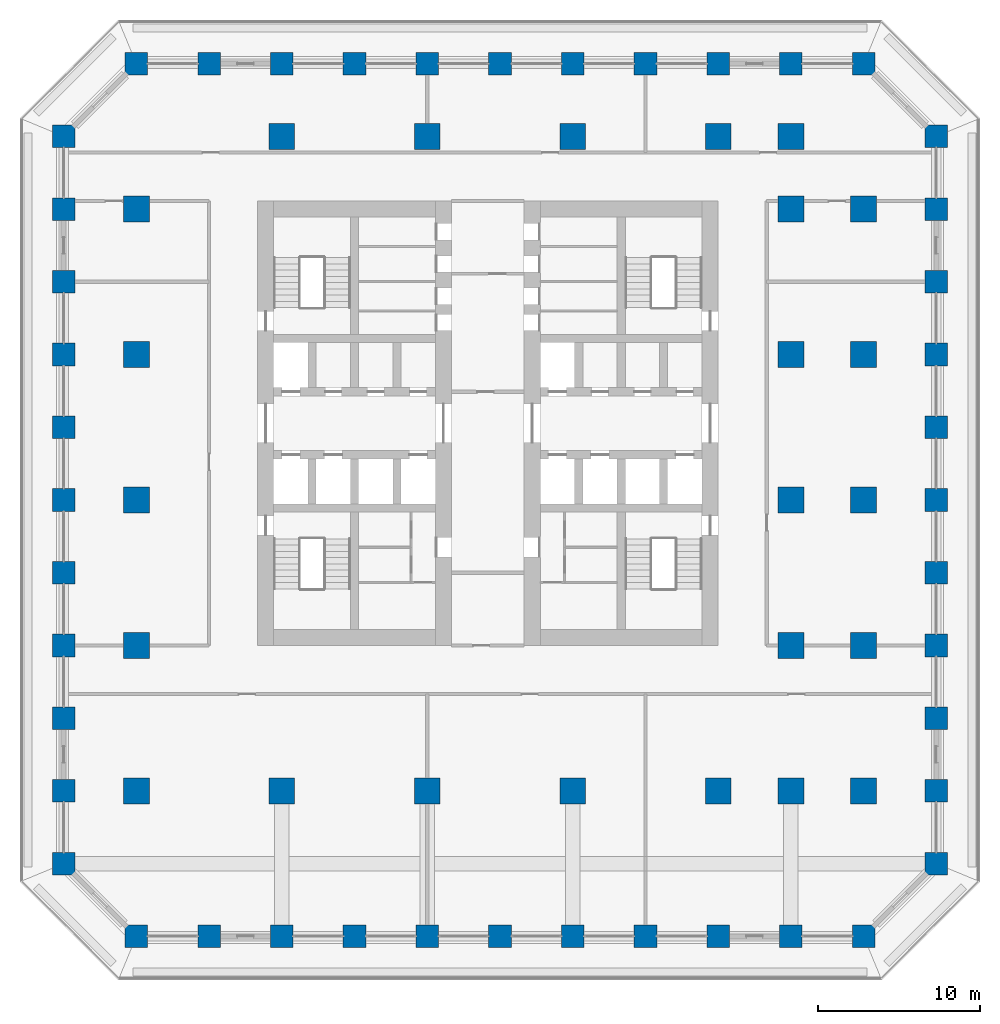
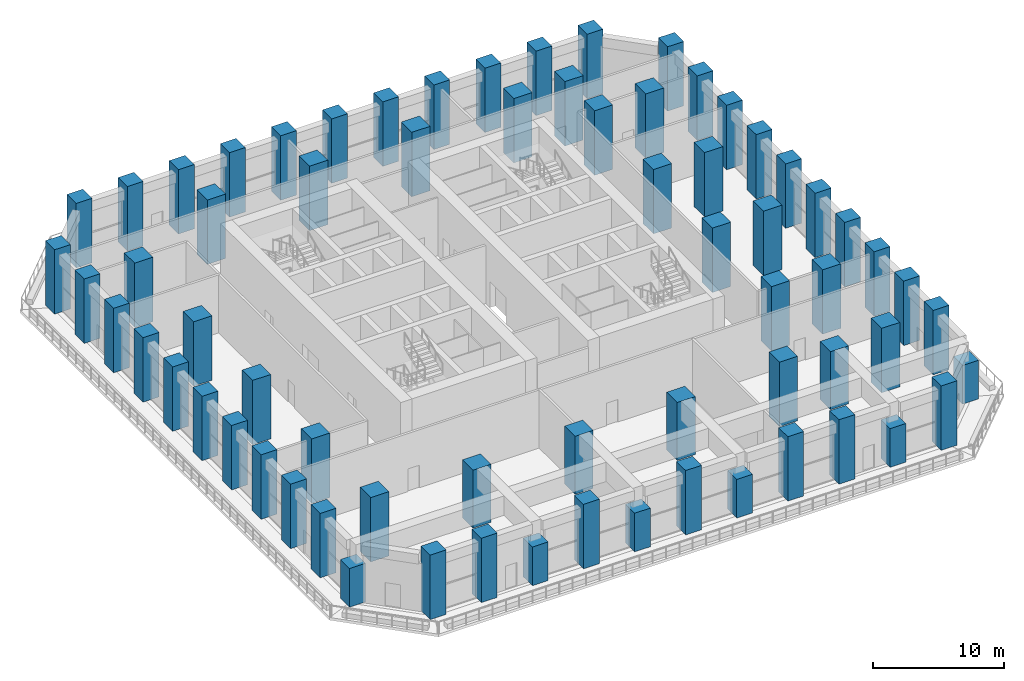
# One storey, part 1 of 19: 68 columns.
"""IFC4 building model written with IfcOpenShell, lengths in metres."""

from ifc_helpers import new_model, si_unit, direction, frame, origin, origin_2d, place, context, subcontext, project, spatial, rectangle, extrude, material, material_profile, profile_set, type_object, element, save


model = new_model("IFC4")

# Units and contexts
model_context = context("Model", 3, precision=1e-05, world=origin(), true_north=direction((0.0, 1.0)))
body_context = subcontext(model_context, "Body", "Model", "MODEL_VIEW")
ifc_project = project(units=[si_unit("LENGTHUNIT", "METRE"), si_unit("AREAUNIT", "SQUARE_METRE"), si_unit("VOLUMEUNIT", "CUBIC_METRE"), si_unit("PLANEANGLEUNIT", "RADIAN"), si_unit("MASSUNIT", "GRAM", prefix="KILO")], contexts=[model_context])

# Site, building, storey
site_placement = place(None, origin())
site = spatial("IfcSite", under=ifc_project, at=site_placement, CompositionType="ELEMENT")
building_placement = place(site_placement, origin())
building = spatial("IfcBuilding", under=site, at=building_placement, Name="Corbel Stack Research Tower", CompositionType="ELEMENT")
storey_placement = place(building_placement, frame((0.0, 0.0, 70.60009765625)))
storey = spatial("IfcBuildingStorey", under=building, at=storey_placement, Name="L16", CompositionType="ELEMENT", Elevation=70.60009765625)

# Columns
ifc_material_1 = material(Name="Concrete C70/85", Category="concrete")
ifc_material_profile_1 = material_profile(ifc_material_1, rectangle(XDim=1.39990234375, YDim=1.39990234375, at=origin_2d()), Name="RC 1400 x 1400")
ifc_profile_set_1 = profile_set([ifc_material_profile_1], Name="Concrete C70/85")
column_type_1 = type_object("IfcColumnType", Name="C-1400-70", PredefinedType="COLUMN", material=ifc_profile_set_1)
for number, where, z_axis, x_axis, name in (
    (1, (-22.5, -18.0, 0.0), (0.0, 0.0, 1.0), (1.0, 0.0, 0.0), "Column 3/D L16"),
    (2, (-22.5, -13.5, 0.0), (0.0, 0.0, 1.0), (1.0, 0.0, 0.0), "Column 3/E L16"),
    (3, (-22.5, -9.0, 0.0), (0.0, 0.0, 1.0), (1.0, 0.0, 0.0), "Column 3/F L16"),
    (4, (-22.5, -4.5, 0.0), (0.0, 0.0, 1.0), (1.0, 0.0, 0.0), "Column 3/G L16"),
    (5, (-22.5, 0.0, 0.0), (0.0, 0.0, 1.0), (1.0, 0.0, 0.0), "Column 3/H L16"),
    (6, (-22.5, 4.5, 0.0), (0.0, 0.0, 1.0), (1.0, 0.0, 0.0), "Column 3/J L16"),
    (7, (-22.5, 9.0, 0.0), (0.0, 0.0, 1.0), (1.0, 0.0, 0.0), "Column 3/K L16"),
    (8, (-22.5, 13.5, 0.0), (0.0, 0.0, 1.0), (1.0, 0.0, 0.0), "Column 3/L L16"),
    (9, (-22.5, 18.0, 0.0), (0.0, 0.0, 1.0), (1.0, 0.0, 0.0), "Column 3/M L16"),
    (10, (-22.5, 22.5, 0.0), (0.0, 0.0, 1.0), (1.0, 0.0, 0.0), "Column 3/N L16"),
    (11, (-18.0, -27.0, 0.0), (0.0, 0.0, 1.0), (1.0, 0.0, 0.0), "Column 4/B L16"),
    (12, (-18.0, 27.0, 0.0), (0.0, 0.0, 1.0), (1.0, 0.0, 0.0), "Column 4/P L16"),
    (13, (-13.5, -27.0, 0.0), (0.0, 0.0, 1.0), (1.0, 0.0, 0.0), "Column 5/B L16"),
    (14, (-13.5, 27.0, 0.0), (0.0, 0.0, 1.0), (1.0, 0.0, 0.0), "Column 5/P L16"),
    (15, (-9.0, 27.0, 0.0), (0.0, 0.0, 1.0), (1.0, 0.0, 0.0), "Column 6/P L16"),
    (16, (-4.5, -27.0, 0.0), (0.0, 0.0, 1.0), (1.0, 0.0, 0.0), "Column 7/B L16"),
    (17, (-4.5, 27.0, 0.0), (0.0, 0.0, 1.0), (1.0, 0.0, 0.0), "Column 7/P L16"),
    (18, (0.0, 27.0, 0.0), (0.0, 0.0, 1.0), (1.0, 0.0, 0.0), "Column 8/P L16"),
    (19, (4.5, -27.0, 0.0), (0.0, 0.0, 1.0), (1.0, 0.0, 0.0), "Column 9/B L16"),
    (20, (4.5, 27.0, 0.0), (0.0, 0.0, 1.0), (1.0, 0.0, 0.0), "Column 9/P L16"),
    (21, (9.0, 27.0, 0.0), (0.0, 0.0, 1.0), (1.0, 0.0, 0.0), "Column 10/P L16"),
    (22, (13.5, -27.0, 0.0), (0.0, 0.0, 1.0), (1.0, 0.0, 0.0), "Column 11/B L16"),
    (23, (13.5, 27.0, 0.0), (0.0, 0.0, 1.0), (1.0, 0.0, 0.0), "Column 11/P L16"),
    (24, (18.0, -27.0, 0.0), (0.0, 0.0, 1.0), (1.0, 0.0, 0.0), "Column 12/B L16"),
    (25, (18.0, 27.0, 0.0), (0.0, 0.0, 1.0), (1.0, 0.0, 0.0), "Column 12/P L16"),
    (26, (22.5, 27.0, 0.0), (0.0, 0.0, 1.0), (1.0, 0.0, 0.0), "Column 13/P L16"),
    (27, (27.0, -27.0, 0.0), (0.0, 0.0, 1.0), (1.0, 0.0, 0.0), "Column 14/B L16"),
    (28, (27.0, 27.0, 0.0), (0.0, 0.0, 1.0), (1.0, 0.0, 0.0), "Column 14/P L16"),
    (29, (31.5, -18.0, 0.0), (0.0, 0.0, 1.0), (1.0, 0.0, 0.0), "Column 15/D L16"),
    (30, (31.5, -13.5, 0.0), (0.0, 0.0, 1.0), (1.0, 0.0, 0.0), "Column 15/E L16"),
    (31, (31.5, -9.0, 0.0), (0.0, 0.0, 1.0), (1.0, 0.0, 0.0), "Column 15/F L16"),
    (32, (31.5, -4.5, 0.0), (0.0, 0.0, 1.0), (1.0, 0.0, 0.0), "Column 15/G L16"),
    (33, (31.5, 0.0, 0.0), (0.0, 0.0, 1.0), (1.0, 0.0, 0.0), "Column 15/H L16"),
    (34, (31.5, 4.5, 0.0), (0.0, 0.0, 1.0), (1.0, 0.0, 0.0), "Column 15/J L16"),
    (35, (31.5, 9.0, 0.0), (0.0, 0.0, 1.0), (1.0, 0.0, 0.0), "Column 15/K L16"),
    (36, (31.5, 13.5, 0.0), (0.0, 0.0, 1.0), (1.0, 0.0, 0.0), "Column 15/L L16"),
    (37, (31.5, 18.0, 0.0), (0.0, 0.0, 1.0), (1.0, 0.0, 0.0), "Column 15/M L16"),
    (38, (31.5, 22.5, 0.0), (0.0, 0.0, 1.0), (1.0, 0.0, 0.0), "Column 15/N L16"),
):
    element("IfcColumn", number, at=place(storey_placement, frame(where, z_axis=z_axis, x_axis=x_axis)), inside=storey, type_object=column_type_1, Name=name, PredefinedType="COLUMN", context=body_context, shape_type="SweptSolid", body=[
        extrude(rectangle(XDim=1.39990234375, YDim=1.39990234375, at=origin_2d()), origin(), (0.0, 0.0, 1.0), 6.0),
    ])
ifc_material_2 = material(Name="Concrete C70/85", Category="concrete")
ifc_material_profile_2 = material_profile(ifc_material_2, rectangle(XDim=1.60009765625, YDim=1.60009765625, at=origin_2d()), Name="RC 1600 x 1600")
ifc_profile_set_2 = profile_set([ifc_material_profile_2], Name="Concrete C70/85")
column_type_2 = type_object("IfcColumnType", Name="C-1600-70", PredefinedType="COLUMN", material=ifc_profile_set_2)
for number, where, z_axis, x_axis, name in (
    (39, (-18.0, -18.0, 0.0), (0.0, 0.0, 1.0), (1.0, 0.0, 0.0), "Column 4/D L16"),
    (40, (-18.0, -9.0, 0.0), (0.0, 0.0, 1.0), (1.0, 0.0, 0.0), "Column 4/F L16"),
    (41, (-18.0, 0.0, 0.0), (0.0, 0.0, 1.0), (1.0, 0.0, 0.0), "Column 4/H L16"),
    (42, (-18.0, 9.0, 0.0), (0.0, 0.0, 1.0), (1.0, 0.0, 0.0), "Column 4/K L16"),
    (43, (-18.0, 18.0, 0.0), (0.0, 0.0, 1.0), (1.0, 0.0, 0.0), "Column 4/M L16"),
    (44, (-9.0, 22.5, 0.0), (0.0, 0.0, 1.0), (1.0, 0.0, 0.0), "Column 6/N L16"),
    (45, (0.0, 22.5, 0.0), (0.0, 0.0, 1.0), (1.0, 0.0, 0.0), "Column 8/N L16"),
    (46, (9.0, 22.5, 0.0), (0.0, 0.0, 1.0), (1.0, 0.0, 0.0), "Column 10/N L16"),
    (47, (18.0, -18.0, 0.0), (0.0, 0.0, 1.0), (1.0, 0.0, 0.0), "Column 12/D L16"),
    (48, (18.0, 22.5, 0.0), (0.0, 0.0, 1.0), (1.0, 0.0, 0.0), "Column 12/N L16"),
    (49, (22.5, -9.0, 0.0), (0.0, 0.0, 1.0), (1.0, 0.0, 0.0), "Column 13/F L16"),
    (50, (22.5, 0.0, 0.0), (0.0, 0.0, 1.0), (1.0, 0.0, 0.0), "Column 13/H L16"),
    (51, (22.5, 9.0, 0.0), (0.0, 0.0, 1.0), (1.0, 0.0, 0.0), "Column 13/K L16"),
    (52, (22.5, 18.0, 0.0), (0.0, 0.0, 1.0), (1.0, 0.0, 0.0), "Column 13/M L16"),
    (53, (22.5, 22.5, 0.0), (0.0, 0.0, 1.0), (1.0, 0.0, 0.0), "Column 13/N L16"),
    (54, (27.0, -18.0, 0.0), (0.0, 0.0, 1.0), (1.0, 0.0, 0.0), "Column 14/D L16"),
    (55, (27.0, -9.0, 0.0), (0.0, 0.0, 1.0), (1.0, 0.0, 0.0), "Column 14/F L16"),
    (56, (27.0, 0.0, 0.0), (0.0, 0.0, 1.0), (1.0, 0.0, 0.0), "Column 14/H L16"),
    (57, (27.0, 9.0, 0.0), (0.0, 0.0, 1.0), (1.0, 0.0, 0.0), "Column 14/K L16"),
    (58, (27.0, 18.0, 0.0), (0.0, 0.0, 1.0), (1.0, 0.0, 0.0), "Column 14/M L16"),
):
    element("IfcColumn", number, at=place(storey_placement, frame(where, z_axis=z_axis, x_axis=x_axis)), inside=storey, type_object=column_type_2, Name=name, PredefinedType="COLUMN", context=body_context, shape_type="SweptSolid", body=[
        extrude(rectangle(XDim=1.60009765625, YDim=1.60009765625, at=origin_2d()), origin(), (0.0, 0.0, 1.0), 6.0),
    ])
ifc_material_3 = material(Name="Concrete C70/85", Category="concrete")
ifc_material_profile_3 = material_profile(ifc_material_3, rectangle(XDim=1.39990234375, YDim=1.39990234375, at=origin_2d()), Name="RC 1400 x 1400")
ifc_profile_set_3 = profile_set([ifc_material_profile_3], Name="Concrete C70/85")
column_type_3 = type_object("IfcColumnType", Name="CG-1400-70-2400", PredefinedType="COLUMN", material=ifc_profile_set_3)
for number, where, z_axis, x_axis, name in (
    (59, (-22.5, -22.5, 0.0), (0.0, 0.0, 1.0), (1.0, 0.0, 0.0), "Column 3/C L16"),
    (60, (-9.0, -27.0, 0.0), (0.0, 0.0, 1.0), (1.0, 0.0, 0.0), "Column 6/B L16"),
    (61, (0.0, -27.0, 0.0), (0.0, 0.0, 1.0), (1.0, 0.0, 0.0), "Column 8/B L16"),
    (62, (9.0, -27.0, 0.0), (0.0, 0.0, 1.0), (1.0, 0.0, 0.0), "Column 10/B L16"),
    (63, (22.5, -27.0, 0.0), (0.0, 0.0, 1.0), (1.0, 0.0, 0.0), "Column 13/B L16"),
    (64, (31.5, -22.5, 0.0), (0.0, 0.0, 1.0), (1.0, 0.0, 0.0), "Column 15/C L16"),
):
    element("IfcColumn", number, at=place(storey_placement, frame(where, z_axis=z_axis, x_axis=x_axis)), inside=storey, type_object=column_type_3, Name=name, PredefinedType="COLUMN", context=body_context, shape_type="SweptSolid", body=[
        extrude(rectangle(XDim=1.39990234375, YDim=1.39990234375, at=origin_2d()), origin(), (0.0, 0.0, 1.0), 3.599853515625),
    ])
ifc_material_4 = material(Name="Concrete C70/85", Category="concrete")
ifc_material_profile_4 = material_profile(ifc_material_4, rectangle(XDim=1.60009765625, YDim=1.60009765625, at=origin_2d()), Name="RC 1600 x 1600")
ifc_profile_set_4 = profile_set([ifc_material_profile_4], Name="Concrete C70/85")
column_type_4 = type_object("IfcColumnType", Name="CG-1600-70-600", PredefinedType="COLUMN", material=ifc_profile_set_4)
for number, where, z_axis, x_axis, name in (
    (65, (-9.0, -18.0, 0.0), (0.0, 0.0, 1.0), (1.0, 0.0, 0.0), "Column 6/D L16"),
    (66, (0.0, -18.0, 0.0), (0.0, 0.0, 1.0), (1.0, 0.0, 0.0), "Column 8/D L16"),
    (67, (9.0, -18.0, 0.0), (0.0, 0.0, 1.0), (1.0, 0.0, 0.0), "Column 10/D L16"),
    (68, (22.5, -18.0, 0.0), (0.0, 0.0, 1.0), (1.0, 0.0, 0.0), "Column 13/D L16"),
):
    element("IfcColumn", number, at=place(storey_placement, frame(where, z_axis=z_axis, x_axis=x_axis)), inside=storey, type_object=column_type_4, Name=name, PredefinedType="COLUMN", context=body_context, shape_type="SweptSolid", body=[
        extrude(rectangle(XDim=1.60009765625, YDim=1.60009765625, at=origin_2d()), origin(), (0.0, 0.0, 1.0), 5.39990234375),
    ])

save(model, "model.ifc")
